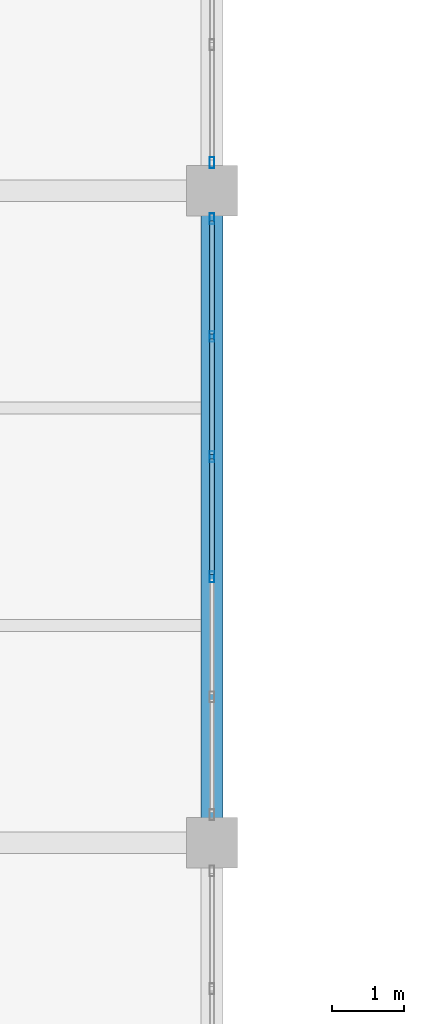
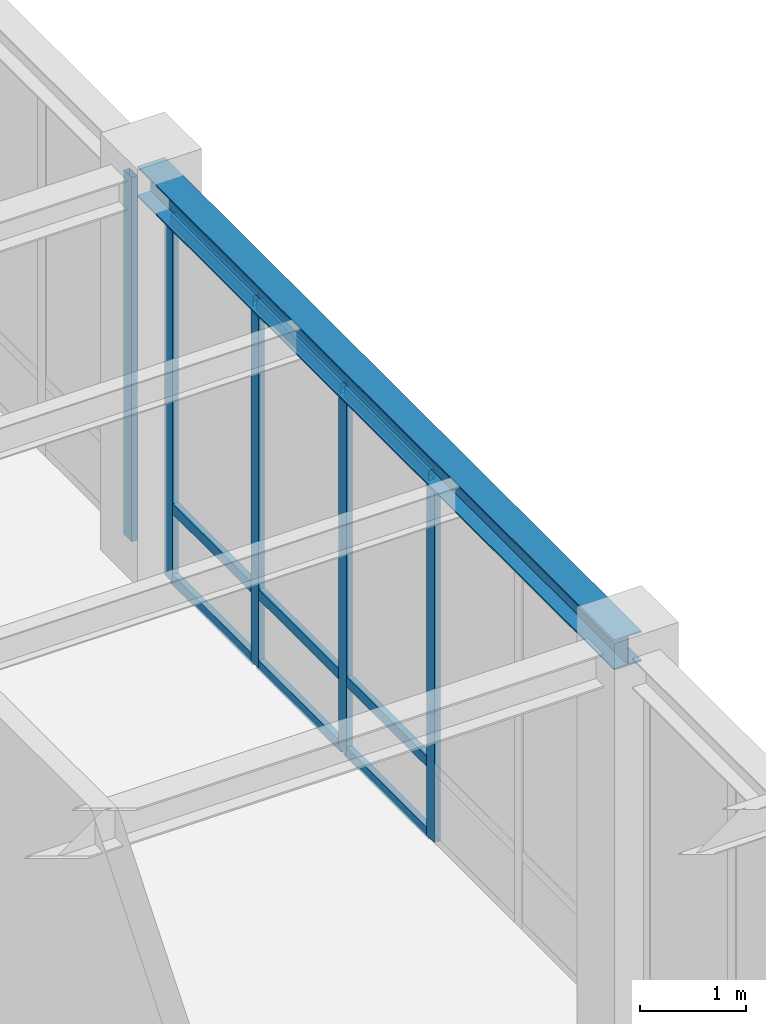
# One storey, part 54 of 92: 14 members, 1 beam, 2 elements without a shape of their own.
"""IFC4 building model written with IfcOpenShell, lengths in metres."""

from ifc_helpers import new_model, si_unit, direction, frame, origin, origin_2d, place, context, subcontext, project, spatial, hollow_rectangle, i_section, extrude, material, material_profile, profile_set, type_object, element, aggregate, save


model = new_model("IFC4")

# Units and contexts
model_context = context("Model", 3, precision=1e-05, world=origin(), true_north=direction((0.0, 1.0)))
body_context = subcontext(model_context, "Body", "Model", "MODEL_VIEW")
ifc_project = project(units=[si_unit("LENGTHUNIT", "METRE"), si_unit("AREAUNIT", "SQUARE_METRE"), si_unit("VOLUMEUNIT", "CUBIC_METRE"), si_unit("PLANEANGLEUNIT", "RADIAN"), si_unit("MASSUNIT", "GRAM", prefix="KILO")], contexts=[model_context])

# Site, building, storey
site_placement = place(None, origin())
site = spatial("IfcSite", under=ifc_project, at=site_placement, CompositionType="ELEMENT")
building_placement = place(site_placement, origin())
building = spatial("IfcBuilding", under=site, at=building_placement, Name="Lykobir Media Centre", CompositionType="ELEMENT")
storey_placement = place(building_placement, frame((0.0, 0.0, 5.39990234375)))
storey = spatial("IfcBuildingStorey", under=building, at=storey_placement, Name="L01", CompositionType="ELEMENT", Elevation=5.39990234375)

# Beam
ifc_material_1 = material(Name="Steel S355", Category="steel")
ifc_material_profile_1 = material_profile(ifc_material_1, i_section(OverallWidth=0.300048828125, OverallDepth=0.35009765625, WebThickness=0.010009765625, FlangeThickness=0.017578125, at=origin_2d()), Name="HEA 360")
ifc_profile_set_1 = profile_set([ifc_material_profile_1], Name="Steel S355")
beam_type = type_object("IfcBeamType", Name="BM-HEA360", PredefinedType="BEAM", material=ifc_profile_set_1)
beam_placement = place(storey_placement, frame((99.0, 54.0, 4.385009765625), z_axis=(0.0, 1.0, 0.0), x_axis=(-1.0, 0.0, 0.0)))
element("IfcBeam", 1, at=beam_placement, inside=storey, type_object=beam_type, Name="Beam BM-L01-0990-0540-0990-0630-978", PredefinedType="BEAM", context=body_context, shape_type="SweptSolid", body=[
    extrude(i_section(OverallWidth=0.300048828125, OverallDepth=0.35009765625, WebThickness=0.010009765625, FlangeThickness=0.017578125, at=origin_2d()), origin(), (0.0, 0.0, 1.0), 9.0),
])

# Curtain wall, members
ifc_material_2 = material(Name="Anodized Aluminium AW-6060", Category="aluminium")
curtain_wall_type = type_object("IfcCurtainWallType", Name="CW-COURT-A", PredefinedType="NOTDEFINED", material=ifc_material_2)
curtain_wall_1_placement = place(storey_placement, origin())
curtain_wall_1 = element("IfcCurtainWall", 2, at=curtain_wall_1_placement, inside=storey, type_object=curtain_wall_type, Name="Curtain wall CW2-L01-0035", PredefinedType="NOTDEFINED")
ifc_material_profile_2 = material_profile(ifc_material_2, hollow_rectangle(XDim=0.06494140625, YDim=0.14990234375, WallThickness=0.00341796875, at=origin_2d()), Name="ALU MULLION 65x150")
ifc_profile_set_2 = profile_set([ifc_material_profile_2], Name="Anodized Aluminium AW-6060")
member_type_1 = type_object("IfcMemberType", Name="CWM-150", PredefinedType="MULLION", material=ifc_profile_set_2)
member_1_placement = place(storey_placement, frame((99.0, 62.612548828125, 0.0), z_axis=(0.0, 0.0, 1.0), x_axis=(1.0, 0.0, 0.0)))
member_1 = element("IfcMember", 3, at=member_1_placement, type_object=member_type_1, Name="CW2-L01-0035 mullion 1", PredefinedType="MULLION", context=body_context, shape_type="SweptSolid", body=[
    extrude(hollow_rectangle(XDim=0.06494140625, YDim=0.14990234375, WallThickness=0.00341796875, at=origin_2d()), origin(), (0.0, 0.0, 1.0), 4.195068359375),
])
member_2_placement = place(storey_placement, frame((99.0, 60.987060546875, 0.0), z_axis=(0.0, 0.0, 1.0), x_axis=(1.0, 0.0, 0.0)))
member_2 = element("IfcMember", 4, at=member_2_placement, type_object=member_type_1, Name="CW2-L01-0035 mullion 2", PredefinedType="MULLION", context=body_context, shape_type="SweptSolid", body=[
    extrude(hollow_rectangle(XDim=0.06494140625, YDim=0.14990234375, WallThickness=0.00341796875, at=origin_2d()), origin(), (0.0, 0.0, 1.0), 4.195068359375),
])
member_3_placement = place(storey_placement, frame((99.0, 59.3291015625, 0.0), z_axis=(0.0, 0.0, 1.0), x_axis=(1.0, 0.0, 0.0)))
member_3 = element("IfcMember", 5, at=member_3_placement, type_object=member_type_1, Name="CW2-L01-0035 mullion 3", PredefinedType="MULLION", context=body_context, shape_type="SweptSolid", body=[
    extrude(hollow_rectangle(XDim=0.06494140625, YDim=0.14990234375, WallThickness=0.00341796875, at=origin_2d()), origin(), (0.0, 0.0, 1.0), 4.195068359375),
])
member_4_placement = place(storey_placement, frame((99.0, 57.6708984375, 0.0), z_axis=(0.0, 0.0, 1.0), x_axis=(1.0, 0.0, 0.0)))
member_4 = element("IfcMember", 6, at=member_4_placement, type_object=member_type_1, Name="CW2-L01-0035 mullion 4", PredefinedType="MULLION", context=body_context, shape_type="SweptSolid", body=[
    extrude(hollow_rectangle(XDim=0.06494140625, YDim=0.14990234375, WallThickness=0.00341796875, at=origin_2d()), origin(), (0.0, 0.0, 1.0), 4.195068359375),
])

# Curtain wall, member
curtain_wall_2_placement = place(storey_placement, origin())
curtain_wall_2 = element("IfcCurtainWall", 7, at=curtain_wall_2_placement, inside=storey, type_object=curtain_wall_type, Name="Curtain wall CW2-L01-0036", PredefinedType="NOTDEFINED")
member_5_placement = place(storey_placement, frame((99.0, 63.387451171875, 0.0), z_axis=(0.0, 0.0, 1.0), x_axis=(1.0, 0.0, 0.0)))
member_5 = element("IfcMember", 8, at=member_5_placement, type_object=member_type_1, Name="CW2-L01-0036 mullion 6", PredefinedType="MULLION", context=body_context, shape_type="SweptSolid", body=[
    extrude(hollow_rectangle(XDim=0.06494140625, YDim=0.14990234375, WallThickness=0.00341796875, at=origin_2d()), origin(), (0.0, 0.0, 1.0), 4.195068359375),
])
aggregate(curtain_wall_2, [member_5])

# Member
ifc_material_profile_3 = material_profile(ifc_material_2, hollow_rectangle(XDim=0.06494140625, YDim=0.1201171875, WallThickness=0.0029296875, at=origin_2d()), Name="ALU TRANSOM 65x120")
ifc_profile_set_3 = profile_set([ifc_material_profile_3], Name="Anodized Aluminium AW-6060")
member_type_2 = type_object("IfcMemberType", Name="CWT-120", PredefinedType="USERDEFINED", material=ifc_profile_set_3)
member_6_placement = place(storey_placement, frame((99.0, 62.580078125, 0.03271484375), z_axis=(0.0, -1.0, 0.0), x_axis=(1.0, 0.0, 0.0)))
member_6 = element("IfcMember", 9, at=member_6_placement, type_object=member_type_2, Name="CW2-L01-0035 transom 1.1", ObjectType="TRANSOM", PredefinedType="USERDEFINED", context=body_context, shape_type="SweptSolid", body=[
    extrude(hollow_rectangle(XDim=0.06494140625, YDim=0.1201171875, WallThickness=0.0029296875, at=origin_2d()), origin(), (0.0, 0.0, 1.0), 1.560546875),
])

member_7_placement = place(storey_placement, frame((99.0, 62.580078125, 0.85009765625), z_axis=(0.0, -1.0, 0.0), x_axis=(1.0, 0.0, 0.0)))
member_7 = element("IfcMember", 10, at=member_7_placement, type_object=member_type_2, Name="CW2-L01-0035 transom 1.2", ObjectType="TRANSOM", PredefinedType="USERDEFINED", context=body_context, shape_type="SweptSolid", body=[
    extrude(hollow_rectangle(XDim=0.06494140625, YDim=0.1201171875, WallThickness=0.0029296875, at=origin_2d()), origin(), (0.0, 0.0, 1.0), 1.560546875),
])

member_8_placement = place(storey_placement, frame((99.0, 62.580078125, 4.16259765625), z_axis=(0.0, -1.0, 0.0), x_axis=(1.0, 0.0, 0.0)))
member_8 = element("IfcMember", 11, at=member_8_placement, type_object=member_type_2, Name="CW2-L01-0035 transom 1.3", ObjectType="TRANSOM", PredefinedType="USERDEFINED", context=body_context, shape_type="SweptSolid", body=[
    extrude(hollow_rectangle(XDim=0.06494140625, YDim=0.1201171875, WallThickness=0.0029296875, at=origin_2d()), origin(), (0.0, 0.0, 1.0), 1.560546875),
])

member_9_placement = place(storey_placement, frame((99.0, 60.95458984375, 0.03271484375), z_axis=(0.0, -1.0, 0.0), x_axis=(1.0, 0.0, 0.0)))
member_9 = element("IfcMember", 12, at=member_9_placement, type_object=member_type_2, Name="CW2-L01-0035 transom 2.1", ObjectType="TRANSOM", PredefinedType="USERDEFINED", context=body_context, shape_type="SweptSolid", body=[
    extrude(hollow_rectangle(XDim=0.06494140625, YDim=0.1201171875, WallThickness=0.0029296875, at=origin_2d()), origin(), (0.0, 0.0, 1.0), 1.593017578125),
])

member_10_placement = place(storey_placement, frame((99.0, 60.95458984375, 0.85009765625), z_axis=(0.0, -1.0, 0.0), x_axis=(1.0, 0.0, 0.0)))
member_10 = element("IfcMember", 13, at=member_10_placement, type_object=member_type_2, Name="CW2-L01-0035 transom 2.2", ObjectType="TRANSOM", PredefinedType="USERDEFINED", context=body_context, shape_type="SweptSolid", body=[
    extrude(hollow_rectangle(XDim=0.06494140625, YDim=0.1201171875, WallThickness=0.0029296875, at=origin_2d()), origin(), (0.0, 0.0, 1.0), 1.593017578125),
])

member_11_placement = place(storey_placement, frame((99.0, 60.95458984375, 4.16259765625), z_axis=(0.0, -1.0, 0.0), x_axis=(1.0, 0.0, 0.0)))
member_11 = element("IfcMember", 14, at=member_11_placement, type_object=member_type_2, Name="CW2-L01-0035 transom 2.3", ObjectType="TRANSOM", PredefinedType="USERDEFINED", context=body_context, shape_type="SweptSolid", body=[
    extrude(hollow_rectangle(XDim=0.06494140625, YDim=0.1201171875, WallThickness=0.0029296875, at=origin_2d()), origin(), (0.0, 0.0, 1.0), 1.593017578125),
])

member_12_placement = place(storey_placement, frame((99.0, 59.29638671875, 0.03271484375), z_axis=(0.0, -1.0, 0.0), x_axis=(1.0, 0.0, 0.0)))
member_12 = element("IfcMember", 15, at=member_12_placement, type_object=member_type_2, Name="CW2-L01-0035 transom 3.1", ObjectType="TRANSOM", PredefinedType="USERDEFINED", context=body_context, shape_type="SweptSolid", body=[
    extrude(hollow_rectangle(XDim=0.06494140625, YDim=0.1201171875, WallThickness=0.0029296875, at=origin_2d()), origin(), (0.0, 0.0, 1.0), 1.5927734375),
])

member_13_placement = place(storey_placement, frame((99.0, 59.29638671875, 0.85009765625), z_axis=(0.0, -1.0, 0.0), x_axis=(1.0, 0.0, 0.0)))
member_13 = element("IfcMember", 16, at=member_13_placement, type_object=member_type_2, Name="CW2-L01-0035 transom 3.2", ObjectType="TRANSOM", PredefinedType="USERDEFINED", context=body_context, shape_type="SweptSolid", body=[
    extrude(hollow_rectangle(XDim=0.06494140625, YDim=0.1201171875, WallThickness=0.0029296875, at=origin_2d()), origin(), (0.0, 0.0, 1.0), 1.5927734375),
])

member_14_placement = place(storey_placement, frame((99.0, 59.29638671875, 4.16259765625), z_axis=(0.0, -1.0, 0.0), x_axis=(1.0, 0.0, 0.0)))
member_14 = element("IfcMember", 17, at=member_14_placement, type_object=member_type_2, Name="CW2-L01-0035 transom 3.3", ObjectType="TRANSOM", PredefinedType="USERDEFINED", context=body_context, shape_type="SweptSolid", body=[
    extrude(hollow_rectangle(XDim=0.06494140625, YDim=0.1201171875, WallThickness=0.0029296875, at=origin_2d()), origin(), (0.0, 0.0, 1.0), 1.5927734375),
])

aggregate(curtain_wall_1, [member_1, member_2, member_3, member_4, member_6, member_7, member_8, member_9, member_10, member_11, member_12, member_13, member_14])

save(model, "model.ifc")
